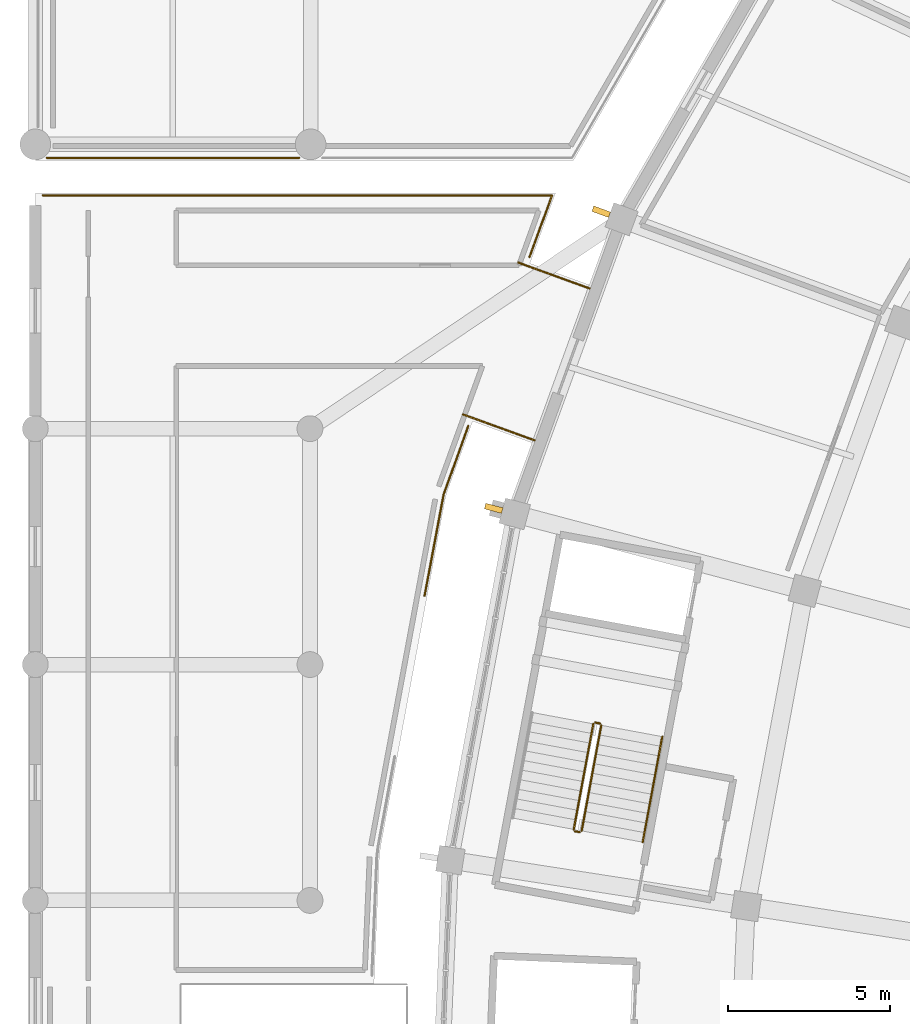
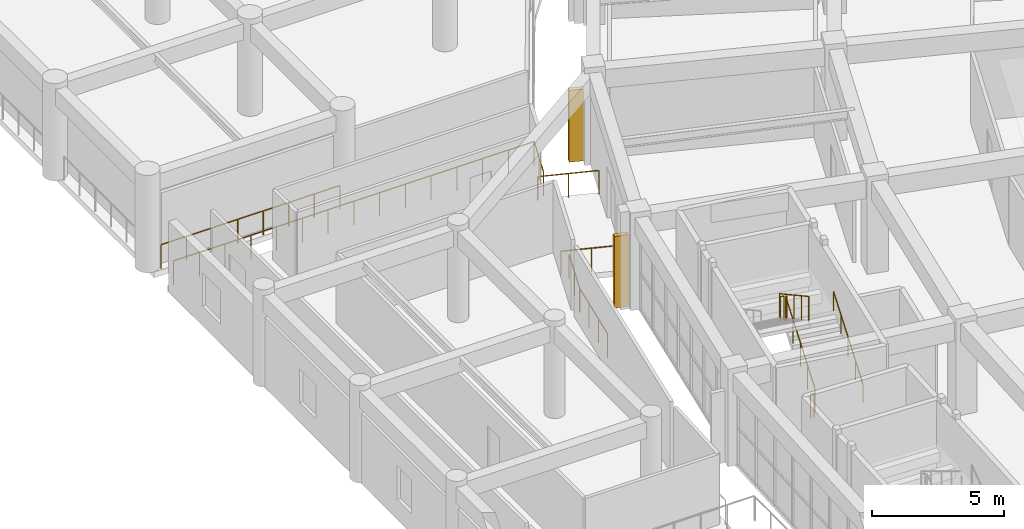
# One storey, part 127 of 145: 10 railings, 2 shading devices.
"""IFC4 building model written with IfcOpenShell, lengths in metres."""

from ifc_helpers import new_model, si_unit, direction, frame, origin, origin_2d, place, context, subcontext, project, spatial, rectangle, circle, extrude, material, type_object, element, save


model = new_model("IFC4")

# Units and contexts
model_context = context("Model", 3, precision=1e-05, world=origin(), true_north=direction((0.0, 1.0)))
body_context = subcontext(model_context, "Body", "Model", "MODEL_VIEW")
ifc_project = project(units=[si_unit("LENGTHUNIT", "METRE"), si_unit("AREAUNIT", "SQUARE_METRE"), si_unit("VOLUMEUNIT", "CUBIC_METRE"), si_unit("PLANEANGLEUNIT", "RADIAN"), si_unit("MASSUNIT", "GRAM", prefix="KILO")], contexts=[model_context])

# Site, building, storey
site_placement = place(None, origin())
site = spatial("IfcSite", under=ifc_project, at=site_placement, CompositionType="ELEMENT")
building_placement = place(site_placement, origin())
building = spatial("IfcBuilding", under=site, at=building_placement, Name="Mphavela Belvedere Stadium", CompositionType="ELEMENT")
storey_placement = place(building_placement, frame((0.0, 0.0, 10.199951171875)))
storey = spatial("IfcBuildingStorey", under=building, at=storey_placement, Name="L02", CompositionType="ELEMENT", Elevation=10.199951171875)

# Railings
ifc_material_1 = material(Name="Bronze and laminated glass stadium balustrade", Category="glass")
railing_type_1 = type_object("IfcRailingType", Name="RAL-BALUSTRADE-1120", PredefinedType="BALUSTRADE", material=ifc_material_1)
railing_1_placement = place(storey_placement, frame((17.154296875, 120.540771484375, 0.0)))
element("IfcRailing", 1, at=railing_1_placement, inside=storey, type_object=railing_type_1, Name="Colonnade link bridge balustrade L02-22A", PredefinedType="BALUSTRADE", context=body_context, shape_type="SweptSolid", body=[
    extrude(circle(Radius=0.02392578125, at=origin_2d()), frame((0.0, 0.0, 1.09619140625), z_axis=(-0.940044916205, 0.341050664151, 0.0), x_axis=(-0.341050664151, -0.940044916205, 0.0)), (0.0, 0.0, 1.0), 2.35009765625),
    extrude(circle(Radius=0.02099609375, at=origin_2d()), origin(), (0.0, 0.0, 1.0), 1.072021484375),
    extrude(circle(Radius=0.02099609375, at=origin_2d()), frame((-1.1044921875, 0.40087890625, 0.0)), (0.0, 0.0, 1.0), 1.072021484375),
    extrude(circle(Radius=0.02099609375, at=origin_2d()), frame((-2.209228515625, 0.801513671875, 0.0)), (0.0, 0.0, 1.0), 1.072021484375),
])
railing_2_placement = place(storey_placement, frame((15.44921875, 115.840576171875, 0.0)))
element("IfcRailing", 2, at=railing_2_placement, inside=storey, type_object=railing_type_1, Name="Colonnade link bridge balustrade L02-22B", PredefinedType="BALUSTRADE", context=body_context, shape_type="SweptSolid", body=[
    extrude(circle(Radius=0.02392578125, at=origin_2d()), frame((0.0, 0.0, 1.09619140625), z_axis=(-0.940078218368, 0.340958858734, 0.0), x_axis=(-0.340958858734, -0.940078218368, 0.0)), (0.0, 0.0, 1.0), 2.35009765625),
    extrude(circle(Radius=0.02099609375, at=origin_2d()), origin(), (0.0, 0.0, 1.0), 1.072021484375),
    extrude(circle(Radius=0.02099609375, at=origin_2d()), frame((-1.1044921875, 0.400634765625, 0.0)), (0.0, 0.0, 1.0), 1.072021484375),
    extrude(circle(Radius=0.02099609375, at=origin_2d()), frame((-2.209228515625, 0.80126953125, 0.0)), (0.0, 0.0, 1.0), 1.072021484375),
])
railing_3_placement = place(storey_placement, frame((8.164306640625, 124.580078125, 0.0)))
element("IfcRailing", 3, at=railing_3_placement, inside=storey, type_object=railing_type_1, Name="Peristyle wing gallery edge balustrade L02-36", PredefinedType="BALUSTRADE", context=body_context, shape_type="SweptSolid", body=[
    extrude(circle(Radius=0.02392578125, at=origin_2d()), frame((0.0, 0.0, 1.09619140625), z_axis=(-1.0, 0.0, 0.0), x_axis=(0.0, -1.0, 0.0)), (0.0, 0.0, 1.0), 7.809814453125),
    extrude(circle(Radius=0.02099609375, at=origin_2d()), origin(), (0.0, 0.0, 1.0), 1.072021484375),
    extrude(circle(Radius=0.02099609375, at=origin_2d()), frame((-1.11572265625, 0.0, 0.0)), (0.0, 0.0, 1.0), 1.072021484375),
    extrude(circle(Radius=0.02099609375, at=origin_2d()), frame((-2.2314453125, 0.0, 0.0)), (0.0, 0.0, 1.0), 1.072021484375),
    extrude(circle(Radius=0.02099609375, at=origin_2d()), frame((-3.34716796875, 0.0, 0.0)), (0.0, 0.0, 1.0), 1.072021484375),
    extrude(circle(Radius=0.02099609375, at=origin_2d()), frame((-4.462646484375, 0.0, 0.0)), (0.0, 0.0, 1.0), 1.072021484375),
    extrude(circle(Radius=0.02099609375, at=origin_2d()), frame((-5.578369140625, 0.0, 0.0)), (0.0, 0.0, 1.0), 1.072021484375),
    extrude(circle(Radius=0.02099609375, at=origin_2d()), frame((-6.694091796875, 0.0, 0.0)), (0.0, 0.0, 1.0), 1.072021484375),
    extrude(circle(Radius=0.02099609375, at=origin_2d()), frame((-7.809814453125, 0.0, 0.0)), (0.0, 0.0, 1.0), 1.072021484375),
])
railing_4_placement = place(storey_placement, frame((13.398193359375, 116.28662109375, 0.0)))
element("IfcRailing", 4, at=railing_4_placement, inside=storey, type_object=railing_type_1, Name="Peristyle wing gallery edge balustrade L02-54", PredefinedType="BALUSTRADE", context=body_context, shape_type="SweptSolid", body=[
    extrude(circle(Radius=0.02392578125, at=origin_2d()), frame((0.0, 0.0, 1.09619140625), z_axis=(-0.337621951524, -0.941281795133, 0.0), x_axis=(0.941281795133, -0.337621951524, 0.0)), (0.0, 0.0, 1.0), 2.26123046875),
    extrude(circle(Radius=0.02392578125, at=origin_2d()), frame((-0.763427734375, -2.12841796875, 1.09619140625), z_axis=(-0.184941248651, -0.982749578757, 0.0), x_axis=(0.982749578757, -0.184941248651, 0.0)), (0.0, 0.0, 1.0), 3.18408203125),
    extrude(circle(Radius=0.02099609375, at=origin_2d()), origin(), (0.0, 0.0, 1.0), 1.072021484375),
    extrude(circle(Radius=0.02099609375, at=origin_2d()), frame((-0.3818359375, -1.064208984375, 0.0)), (0.0, 0.0, 1.0), 1.072021484375),
    extrude(circle(Radius=0.02099609375, at=origin_2d()), frame((-0.763427734375, -2.12841796875, 0.0)), (0.0, 0.0, 1.0), 1.072021484375),
    extrude(circle(Radius=0.02099609375, at=origin_2d()), frame((-0.959716796875, -3.17138671875, 0.0)), (0.0, 0.0, 1.0), 1.072021484375),
    extrude(circle(Radius=0.02099609375, at=origin_2d()), frame((-1.156005859375, -4.214599609375, 0.0)), (0.0, 0.0, 1.0), 1.072021484375),
    extrude(circle(Radius=0.02099609375, at=origin_2d()), frame((-1.352294921875, -5.257568359375, 0.0)), (0.0, 0.0, 1.0), 1.072021484375),
])
railing_5_placement = place(storey_placement, frame((0.2333984375, 123.419921875, 0.0)))
element("IfcRailing", 5, at=railing_5_placement, inside=storey, type_object=railing_type_1, Name="Peristyle wing gallery edge balustrade L02-59", PredefinedType="BALUSTRADE", context=body_context, shape_type="SweptSolid", body=[
    extrude(circle(Radius=0.02392578125, at=origin_2d()), frame((0.0, 0.0, 1.09619140625), z_axis=(1.0, 0.0, 0.0), x_axis=(0.0, 1.0, 0.0)), (0.0, 0.0, 1.0), 15.756103515625),
    extrude(circle(Radius=0.02392578125, at=origin_2d()), frame((15.756103515625, 0.0, 1.09619140625), z_axis=(-0.342380499121, -0.939561383743, 0.0), x_axis=(0.939561383743, -0.342380499121, 0.0)), (0.0, 0.0, 1.0), 2.029296875),
    extrude(circle(Radius=0.02099609375, at=origin_2d()), origin(), (0.0, 0.0, 1.0), 1.072021484375),
    extrude(circle(Radius=0.02099609375, at=origin_2d()), frame((1.12548828125, 0.0, 0.0)), (0.0, 0.0, 1.0), 1.072021484375),
    extrude(circle(Radius=0.02099609375, at=origin_2d()), frame((2.2509765625, 0.0, 0.0)), (0.0, 0.0, 1.0), 1.072021484375),
    extrude(circle(Radius=0.02099609375, at=origin_2d()), frame((3.376220703125, 0.0, 0.0)), (0.0, 0.0, 1.0), 1.072021484375),
    extrude(circle(Radius=0.02099609375, at=origin_2d()), frame((4.501708984375, 0.0, 0.0)), (0.0, 0.0, 1.0), 1.072021484375),
    extrude(circle(Radius=0.02099609375, at=origin_2d()), frame((5.627197265625, 0.0, 0.0)), (0.0, 0.0, 1.0), 1.072021484375),
    extrude(circle(Radius=0.02099609375, at=origin_2d()), frame((6.752685546875, 0.0, 0.0)), (0.0, 0.0, 1.0), 1.072021484375),
    extrude(circle(Radius=0.02099609375, at=origin_2d()), frame((7.8779296875, 0.0, 0.0)), (0.0, 0.0, 1.0), 1.072021484375),
    extrude(circle(Radius=0.02099609375, at=origin_2d()), frame((9.00341796875, 0.0, 0.0)), (0.0, 0.0, 1.0), 1.072021484375),
    extrude(circle(Radius=0.02099609375, at=origin_2d()), frame((10.12890625, 0.0, 0.0)), (0.0, 0.0, 1.0), 1.072021484375),
    extrude(circle(Radius=0.02099609375, at=origin_2d()), frame((11.25439453125, 0.0, 0.0)), (0.0, 0.0, 1.0), 1.072021484375),
    extrude(circle(Radius=0.02099609375, at=origin_2d()), frame((12.3798828125, 0.0, 0.0)), (0.0, 0.0, 1.0), 1.072021484375),
    extrude(circle(Radius=0.02099609375, at=origin_2d()), frame((13.505126953125, 0.0, 0.0)), (0.0, 0.0, 1.0), 1.072021484375),
    extrude(circle(Radius=0.02099609375, at=origin_2d()), frame((14.630615234375, 0.0, 0.0)), (0.0, 0.0, 1.0), 1.072021484375),
    extrude(circle(Radius=0.02099609375, at=origin_2d()), frame((15.756103515625, 0.0, 0.0)), (0.0, 0.0, 1.0), 1.072021484375),
    extrude(circle(Radius=0.02099609375, at=origin_2d()), frame((15.40869140625, -0.953369140625, 0.0)), (0.0, 0.0, 1.0), 1.072021484375),
    extrude(circle(Radius=0.02099609375, at=origin_2d()), frame((15.061279296875, -1.90673828125, 0.0)), (0.0, 0.0, 1.0), 1.072021484375),
])
ifc_material_2 = material(Name="Painted galvanised steel stair guardrail", Category="steel")
railing_type_2 = type_object("IfcRailingType", Name="RAL-GUARD-1120", PredefinedType="GUARDRAIL", material=ifc_material_2)
railing_6_placement = place(storey_placement, frame((16.907958984375, 103.75390625, 0.1875)))
element("IfcRailing", 6, at=railing_6_placement, inside=storey, type_object=railing_type_2, Name="L02 ST-C06 stair guard 1", PredefinedType="GUARDRAIL", context=body_context, shape_type="SweptSolid", body=[
    extrude(circle(Radius=0.02392578125, at=origin_2d()), frame((0.0, 0.0, 1.09619140625), z_axis=(0.155095634283, 0.835293637457, 0.527475007418), x_axis=(-0.983195143855, 0.182557687049, 0.0)), (0.0, 0.0, 1.0), 3.91015625),
    extrude(circle(Radius=0.02099609375, at=origin_2d()), origin(), (0.0, 0.0, 1.0), 1.072021484375),
    extrude(circle(Radius=0.02099609375, at=origin_2d()), frame((0.151611328125, 0.81640625, 0.515625)), (0.0, 0.0, 1.0), 1.072021484375),
    extrude(circle(Radius=0.02099609375, at=origin_2d()), frame((0.30322265625, 1.633056640625, 1.03125)), (0.0, 0.0, 1.0), 1.072021484375),
    extrude(circle(Radius=0.02099609375, at=origin_2d()), frame((0.454833984375, 2.44970703125, 1.546875)), (0.0, 0.0, 1.0), 1.072021484375),
    extrude(circle(Radius=0.02099609375, at=origin_2d()), frame((0.6064453125, 3.26611328125, 2.0625)), (0.0, 0.0, 1.0), 1.072021484375),
])
railing_7_placement = place(storey_placement, frame((17.474365234375, 107.078369140625, 2.25)))
element("IfcRailing", 7, at=railing_7_placement, inside=storey, type_object=railing_type_2, Name="L02 ST-C06 stair guard 2", PredefinedType="GUARDRAIL", context=body_context, shape_type="SweptSolid", body=[
    extrude(circle(Radius=0.02392578125, at=origin_2d()), frame((0.0, 0.0, 1.09619140625), z_axis=(-0.983238797529, 0.182322426032, 0.0), x_axis=(-0.182322426032, -0.983238797529, 0.0)), (0.0, 0.0, 1.0), 0.14990234375),
    extrude(circle(Radius=0.02099609375, at=origin_2d()), origin(), (0.0, 0.0, 1.0), 1.072021484375),
    extrude(circle(Radius=0.02099609375, at=origin_2d()), frame((-0.1474609375, 0.02734375, 0.0)), (0.0, 0.0, 1.0), 1.072021484375),
])
railing_8_placement = place(storey_placement, frame((17.2685546875, 107.065673828125, 2.4375)))
element("IfcRailing", 8, at=railing_8_placement, inside=storey, type_object=railing_type_2, Name="L02 ST-C06 stair guard 3", PredefinedType="GUARDRAIL", context=body_context, shape_type="SweptSolid", body=[
    extrude(circle(Radius=0.02392578125, at=origin_2d()), frame((0.0, 0.0, 1.09619140625), z_axis=(-0.155095634283, -0.835293637457, 0.527475007418), x_axis=(0.983195143855, -0.182557687049, 0.0)), (0.0, 0.0, 1.0), 3.91015625),
    extrude(circle(Radius=0.02099609375, at=origin_2d()), origin(), (0.0, 0.0, 1.0), 1.072021484375),
    extrude(circle(Radius=0.02099609375, at=origin_2d()), frame((-0.151611328125, -0.81640625, 0.515625)), (0.0, 0.0, 1.0), 1.072021484375),
    extrude(circle(Radius=0.02099609375, at=origin_2d()), frame((-0.30322265625, -1.633056640625, 1.03125)), (0.0, 0.0, 1.0), 1.072021484375),
    extrude(circle(Radius=0.02099609375, at=origin_2d()), frame((-0.454833984375, -2.44970703125, 1.546875)), (0.0, 0.0, 1.0), 1.072021484375),
    extrude(circle(Radius=0.02099609375, at=origin_2d()), frame((-0.6064453125, -3.26611328125, 2.0625)), (0.0, 0.0, 1.0), 1.072021484375),
])
railing_9_placement = place(storey_placement, frame((16.849609375, 103.7138671875, 0.0)))
element("IfcRailing", 9, at=railing_9_placement, inside=storey, type_object=railing_type_2, Name="L02 ST-C06 stair guard 4", PredefinedType="GUARDRAIL", context=body_context, shape_type="SweptSolid", body=[
    extrude(circle(Radius=0.02392578125, at=origin_2d()), frame((0.0, 0.0, 1.09619140625), z_axis=(-0.983238797529, 0.182322426032, 0.0), x_axis=(-0.182322426032, -0.983238797529, 0.0)), (0.0, 0.0, 1.0), 0.14990234375),
    extrude(circle(Radius=0.02099609375, at=origin_2d()), origin(), (0.0, 0.0, 1.0), 1.072021484375),
    extrude(circle(Radius=0.02099609375, at=origin_2d()), frame((-0.1474609375, 0.02734375, 0.0)), (0.0, 0.0, 1.0), 1.072021484375),
])
ifc_material_3 = material(Name="Brushed stainless steel tubular handrail", Category="steel")
railing_type_3 = type_object("IfcRailingType", Name="RAL-HANDRAIL-900", PredefinedType="HANDRAIL", material=ifc_material_3)
railing_10_placement = place(storey_placement, frame((18.795654296875, 103.4033203125, 0.1875)))
element("IfcRailing", 10, at=railing_10_placement, inside=storey, type_object=railing_type_3, Name="L02 ST-C06 stair handrail 1", PredefinedType="HANDRAIL", context=body_context, shape_type="SweptSolid", body=[
    extrude(circle(Radius=0.02392578125, at=origin_2d()), frame((0.0, 0.0, 0.8759765625), z_axis=(0.155095634283, 0.835293637457, 0.527475007418), x_axis=(-0.983195143855, 0.182557687049, 0.0)), (0.0, 0.0, 1.0), 3.91015625),
    extrude(circle(Radius=0.02099609375, at=origin_2d()), origin(), (0.0, 0.0, 1.0), 0.851806640625),
    extrude(circle(Radius=0.02099609375, at=origin_2d()), frame((0.151611328125, 0.81640625, 0.515625)), (0.0, 0.0, 1.0), 0.851806640625),
    extrude(circle(Radius=0.02099609375, at=origin_2d()), frame((0.30322265625, 1.633056640625, 1.03125)), (0.0, 0.0, 1.0), 0.851806640625),
    extrude(circle(Radius=0.02099609375, at=origin_2d()), frame((0.454833984375, 2.44970703125, 1.546875)), (0.0, 0.0, 1.0), 0.851806640625),
    extrude(circle(Radius=0.02099609375, at=origin_2d()), frame((0.6064453125, 3.26611328125, 2.0625)), (0.0, 0.0, 1.0), 0.851806640625),
])

# Shading devices
ifc_material_4 = material(Name="Honed limestone and bronze vertical brise-soleil fin", Category="masonry")
shading_device_type = type_object("IfcShadingDeviceType", Name="SHD-SOLAR-FIN", PredefinedType="USERDEFINED", material=ifc_material_4)
for number, where, z_axis, x_axis, name in (
    (11, (17.512451171875, 122.9150390625, 0.0), (0.0, 0.0, 1.0), (-0.938372433776, 0.34562577382, 0.0), "Classical vertical solar brise-soleil fin L02-22"),
    (12, (14.184814453125, 113.735107421875, 0.0), (0.0, 0.0, 1.0), (-0.966600102017, 0.256289373133, 0.0), "Classical vertical solar brise-soleil fin L02-23"),
):
    element("IfcShadingDevice", number, at=place(storey_placement, frame(where, z_axis=z_axis, x_axis=x_axis)), inside=storey, type_object=shading_device_type, Name=name, ObjectType="SOLAR FIN", PredefinedType="USERDEFINED", context=body_context, shape_type="SweptSolid", body=[
        extrude(rectangle(XDim=0.550048828125, YDim=0.179931640625, at=origin_2d()), origin(), (0.0, 0.0, 1.0), 3.320068359375),
    ])

save(model, "model.ifc")
